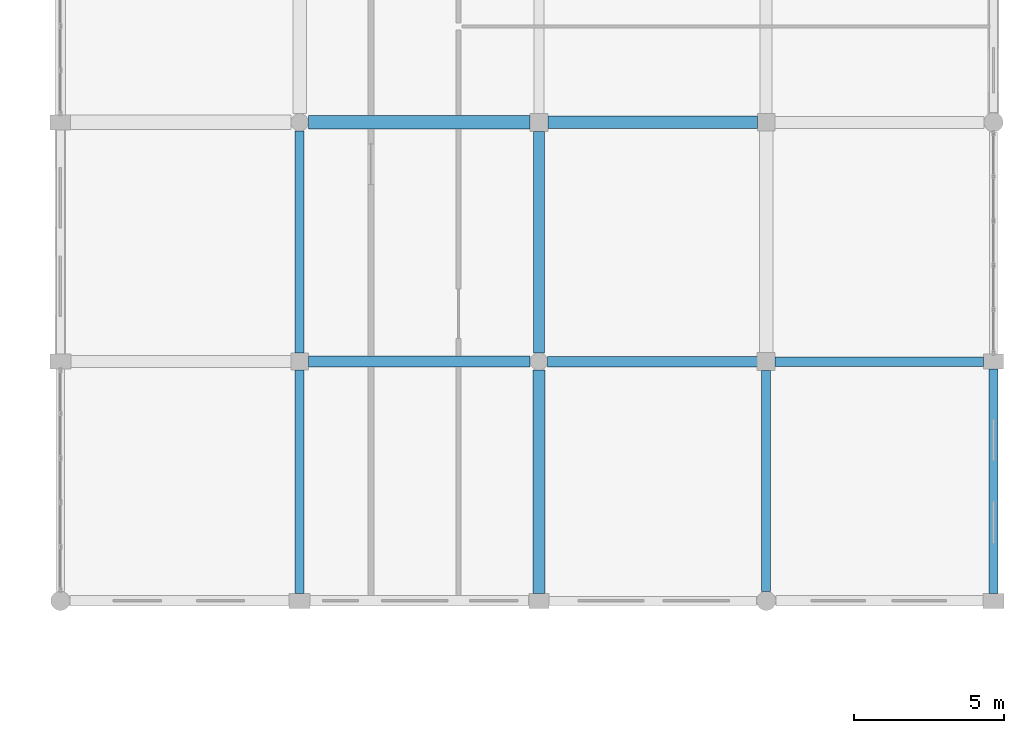
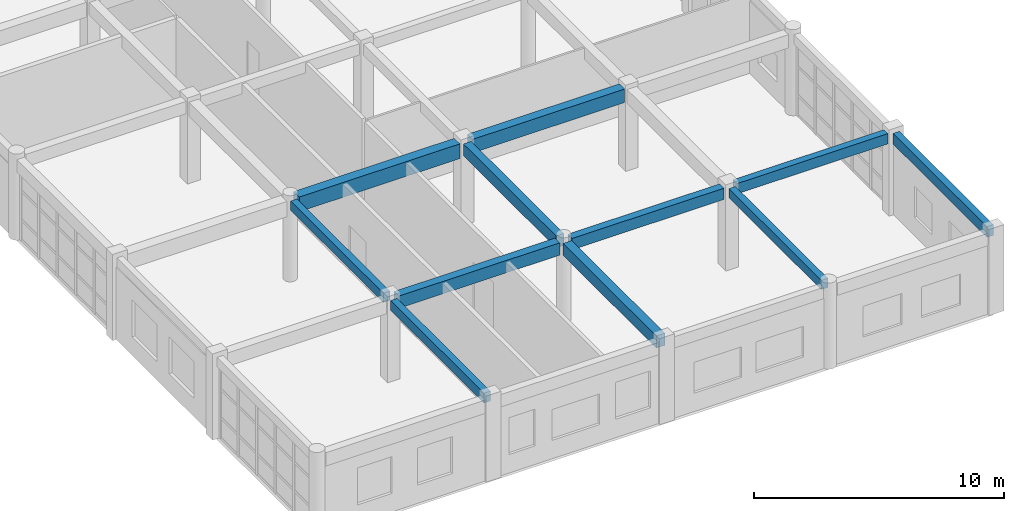
# One storey, part 20 of 53: 11 beams.
"""IFC4 building model written with IfcOpenShell, lengths in metres."""

from ifc_helpers import new_model, si_unit, direction, frame, origin, origin_2d, place, context, subcontext, project, spatial, rectangle, extrude, material, material_profile, profile_set, type_object, element, save


model = new_model("IFC4")

# Units and contexts
model_context = context("Model", 3, precision=1e-05, world=origin(), true_north=direction((0.0, 1.0)))
body_context = subcontext(model_context, "Body", "Model", "MODEL_VIEW")
ifc_project = project(units=[si_unit("LENGTHUNIT", "METRE"), si_unit("AREAUNIT", "SQUARE_METRE"), si_unit("VOLUMEUNIT", "CUBIC_METRE"), si_unit("PLANEANGLEUNIT", "RADIAN"), si_unit("MASSUNIT", "GRAM", prefix="KILO")], contexts=[model_context])

# Site, building, storey
site_placement = place(None, origin())
site = spatial("IfcSite", under=ifc_project, at=site_placement, CompositionType="ELEMENT")
building_placement = place(site_placement, origin())
building = spatial("IfcBuilding", under=site, at=building_placement, Name="Kharva Crest Polytechnic", CompositionType="ELEMENT")
storey_placement = place(building_placement, frame((0.0, 0.0, 17.39990234375)))
storey = spatial("IfcBuildingStorey", under=building, at=storey_placement, Name="L04", CompositionType="ELEMENT", Elevation=17.39990234375)

# Beams
ifc_material = material(Name="Concrete C35/45", Category="concrete")
ifc_material_profile_1 = material_profile(ifc_material, rectangle(XDim=0.300048828125, YDim=0.449951171875, at=origin_2d()), Name="RECT 300 X 450")
ifc_profile_set_1 = profile_set([ifc_material_profile_1], Name="Concrete C35/45")
beam_type_1 = type_object("IfcBeamType", Name="BM-RC-300X450", PredefinedType="BEAM", material=ifc_profile_set_1)
beam_1_placement = place(storey_placement, frame((160.800048828125, 47.090087890625, 3.7451171875), z_axis=(0.0, 1.0, 0.0), x_axis=(-1.0, 0.0, 0.0)))
element("IfcBeam", 1, at=beam_1_placement, inside=storey, type_object=beam_type_1, Name="L04 Girder 21/G-H", PredefinedType="BEAM", context=body_context, shape_type="SweptSolid", body=[
    extrude(rectangle(XDim=0.300048828125, YDim=0.449951171875, at=origin_2d()), origin(), (0.0, 0.0, 1.0), 7.419921875),
])
beam_2_placement = place(storey_placement, frame((176.39990234375, 39.1201171875, 3.7451171875), z_axis=(0.0, 1.0, 0.0), x_axis=(-1.0, 0.0, 0.0)))
element("IfcBeam", 2, at=beam_2_placement, inside=storey, type_object=beam_type_1, Name="L04 Girder 23/FJ-G", PredefinedType="BEAM", context=body_context, shape_type="SweptSolid", body=[
    extrude(rectangle(XDim=0.300048828125, YDim=0.449951171875, at=origin_2d()), origin(), (0.0, 0.0, 1.0), 7.3798828125),
])
ifc_material_profile_2 = material_profile(ifc_material, rectangle(XDim=0.300048828125, YDim=0.47998046875, at=origin_2d()), Name="RECT 300 X 480")
ifc_profile_set_2 = profile_set([ifc_material_profile_2], Name="Concrete C35/45")
beam_type_2 = type_object("IfcBeamType", Name="BM-RC-300X480", PredefinedType="BEAM", material=ifc_profile_set_2)
beam_3_placement = place(storey_placement, frame((160.800048828125, 39.050048828125, 3.72998046875), z_axis=(0.0, 1.0, 0.0), x_axis=(-1.0, 0.0, 0.0)))
element("IfcBeam", 3, at=beam_3_placement, inside=storey, type_object=beam_type_2, Name="L04 Girder 21/FJ-G", PredefinedType="BEAM", context=body_context, shape_type="SweptSolid", body=[
    extrude(rectangle(XDim=0.300048828125, YDim=0.47998046875, at=origin_2d()), origin(), (0.0, 0.0, 1.0), 7.4599609375),
])
ifc_material_profile_3 = material_profile(ifc_material, rectangle(XDim=0.320068359375, YDim=0.5, at=origin_2d()), Name="RECT 320 X 500")
ifc_profile_set_3 = profile_set([ifc_material_profile_3], Name="Concrete C35/45")
beam_type_3 = type_object("IfcBeamType", Name="BM-RC-320X500", PredefinedType="BEAM", material=ifc_profile_set_3)
beam_4_placement = place(storey_placement, frame((176.699951171875, 46.800048828125, 3.72021484375), z_axis=(1.0, 0.0, 0.0), x_axis=(0.0, 1.0, 0.0)))
element("IfcBeam", 4, at=beam_4_placement, inside=storey, type_object=beam_type_3, Name="L04 Beam G/23-24", PredefinedType="BEAM", context=body_context, shape_type="SweptSolid", body=[
    extrude(rectangle(XDim=0.320068359375, YDim=0.5, at=origin_2d()), origin(), (0.0, 0.0, 1.0), 6.9599609375),
])
ifc_material_profile_4 = material_profile(ifc_material, rectangle(XDim=0.35009765625, YDim=0.550048828125, at=origin_2d()), Name="RECT 350 X 550")
ifc_profile_set_4 = profile_set([ifc_material_profile_4], Name="Concrete C35/45")
beam_type_4 = type_object("IfcBeamType", Name="BM-RC-350X550", PredefinedType="BEAM", material=ifc_profile_set_4)
beam_5_placement = place(storey_placement, frame((169.090087890625, 46.800048828125, 3.695068359375), z_axis=(1.0, 0.0, 0.0), x_axis=(0.0, 1.0, 0.0)))
element("IfcBeam", 5, at=beam_5_placement, inside=storey, type_object=beam_type_4, Name="L04 Beam G/22-23", PredefinedType="BEAM", context=body_context, shape_type="SweptSolid", body=[
    extrude(rectangle(XDim=0.35009765625, YDim=0.550048828125, at=origin_2d()), origin(), (0.0, 0.0, 1.0), 7.010009765625),
])
ifc_material_profile_5 = material_profile(ifc_material, rectangle(XDim=0.360107421875, YDim=0.580078125, at=origin_2d()), Name="RECT 360 X 580")
ifc_profile_set_5 = profile_set([ifc_material_profile_5], Name="Concrete C35/45")
beam_type_5 = type_object("IfcBeamType", Name="BM-RC-360X580", PredefinedType="BEAM", material=ifc_profile_set_5)
beam_6_placement = place(storey_placement, frame((168.800048828125, 47.090087890625, 3.68017578125), z_axis=(0.0, 1.0, 0.0), x_axis=(-1.0, 0.0, 0.0)))
element("IfcBeam", 6, at=beam_6_placement, inside=storey, type_object=beam_type_5, Name="L04 Girder 22/G-H", PredefinedType="BEAM", context=body_context, shape_type="SweptSolid", body=[
    extrude(rectangle(XDim=0.360107421875, YDim=0.580078125, at=origin_2d()), origin(), (0.0, 0.0, 1.0), 7.409912109375),
])
ifc_material_profile_6 = material_profile(ifc_material, rectangle(XDim=0.3798828125, YDim=0.60009765625, at=origin_2d()), Name="RECT 380 X 600")
ifc_profile_set_6 = profile_set([ifc_material_profile_6], Name="Concrete C35/45")
beam_type_6 = type_object("IfcBeamType", Name="BM-RC-380X600", PredefinedType="BEAM", material=ifc_profile_set_6)
beam_7_placement = place(storey_placement, frame((161.090087890625, 46.800048828125, 3.670166015625), z_axis=(1.0, 0.0, 0.0), x_axis=(0.0, 1.0, 0.0)))
element("IfcBeam", 7, at=beam_7_placement, inside=storey, type_object=beam_type_6, Name="L04 Beam G/21-22", PredefinedType="BEAM", context=body_context, shape_type="SweptSolid", body=[
    extrude(rectangle(XDim=0.3798828125, YDim=0.60009765625, at=origin_2d()), origin(), (0.0, 0.0, 1.0), 7.419921875),
])
ifc_material_profile_7 = material_profile(ifc_material, rectangle(XDim=0.39990234375, YDim=0.580078125, at=origin_2d()), Name="RECT 400 X 580")
ifc_profile_set_7 = profile_set([ifc_material_profile_7], Name="Concrete C35/45")
beam_type_7 = type_object("IfcBeamType", Name="BM-RC-400X580", PredefinedType="BEAM", material=ifc_profile_set_7)
beam_8_placement = place(storey_placement, frame((168.800048828125, 39.050048828125, 3.68017578125), z_axis=(0.0, 1.0, 0.0), x_axis=(-1.0, 0.0, 0.0)))
element("IfcBeam", 8, at=beam_8_placement, inside=storey, type_object=beam_type_7, Name="L04 Girder 22/FJ-G", PredefinedType="BEAM", context=body_context, shape_type="SweptSolid", body=[
    extrude(rectangle(XDim=0.39990234375, YDim=0.580078125, at=origin_2d()), origin(), (0.0, 0.0, 1.0), 7.4599609375),
])
ifc_material_profile_8 = material_profile(ifc_material, rectangle(XDim=0.419921875, YDim=0.659912109375, at=origin_2d()), Name="RECT 420 X 660")
ifc_profile_set_8 = profile_set([ifc_material_profile_8], Name="Concrete C35/45")
beam_type_8 = type_object("IfcBeamType", Name="BM-RC-420X660", PredefinedType="BEAM", material=ifc_profile_set_8)
beam_9_placement = place(storey_placement, frame((169.10009765625, 54.800048828125, 3.64013671875), z_axis=(1.0, 0.0, 0.0), x_axis=(0.0, 1.0, 0.0)))
element("IfcBeam", 9, at=beam_9_placement, inside=storey, type_object=beam_type_8, Name="L04 Beam H/22-23", PredefinedType="BEAM", context=body_context, shape_type="SweptSolid", body=[
    extrude(rectangle(XDim=0.419921875, YDim=0.659912109375, at=origin_2d()), origin(), (0.0, 0.0, 1.0), 7.010009765625),
])
ifc_material_profile_9 = material_profile(ifc_material, rectangle(XDim=0.449951171875, YDim=0.719970703125, at=origin_2d()), Name="RECT 450 X 720")
ifc_profile_set_9 = profile_set([ifc_material_profile_9], Name="Concrete C35/45")
beam_type_9 = type_object("IfcBeamType", Name="BM-RC-450X720", PredefinedType="BEAM", material=ifc_profile_set_9)
beam_10_placement = place(storey_placement, frame((161.090087890625, 54.800048828125, 3.610107421875), z_axis=(1.0, 0.0, 0.0), x_axis=(0.0, 1.0, 0.0)))
element("IfcBeam", 10, at=beam_10_placement, inside=storey, type_object=beam_type_9, Name="L04 Beam H/21-22", PredefinedType="BEAM", context=body_context, shape_type="SweptSolid", body=[
    extrude(rectangle(XDim=0.449951171875, YDim=0.719970703125, at=origin_2d()), origin(), (0.0, 0.0, 1.0), 7.409912109375),
])
ifc_material_profile_10 = material_profile(ifc_material, rectangle(XDim=0.300048828125, YDim=0.52001953125, at=origin_2d()), Name="RECT 300 X 520")
ifc_profile_set_10 = profile_set([ifc_material_profile_10], Name="Concrete C35/45")
beam_type_10 = type_object("IfcBeamType", Name="SP-RC-300X520", PredefinedType="SPANDREL", material=ifc_profile_set_10)
beam_11_placement = place(storey_placement, frame((184.0, 39.050048828125, 3.710205078125), z_axis=(0.0, 1.0, 0.0), x_axis=(-1.0, 0.0, 0.0)))
element("IfcBeam", 11, at=beam_11_placement, inside=storey, type_object=beam_type_10, Name="L04 Girder 24/FJ-G", PredefinedType="SPANDREL", context=body_context, shape_type="SweptSolid", body=[
    extrude(rectangle(XDim=0.300048828125, YDim=0.52001953125, at=origin_2d()), origin(), (0.0, 0.0, 1.0), 7.5),
])

save(model, "model.ifc")
